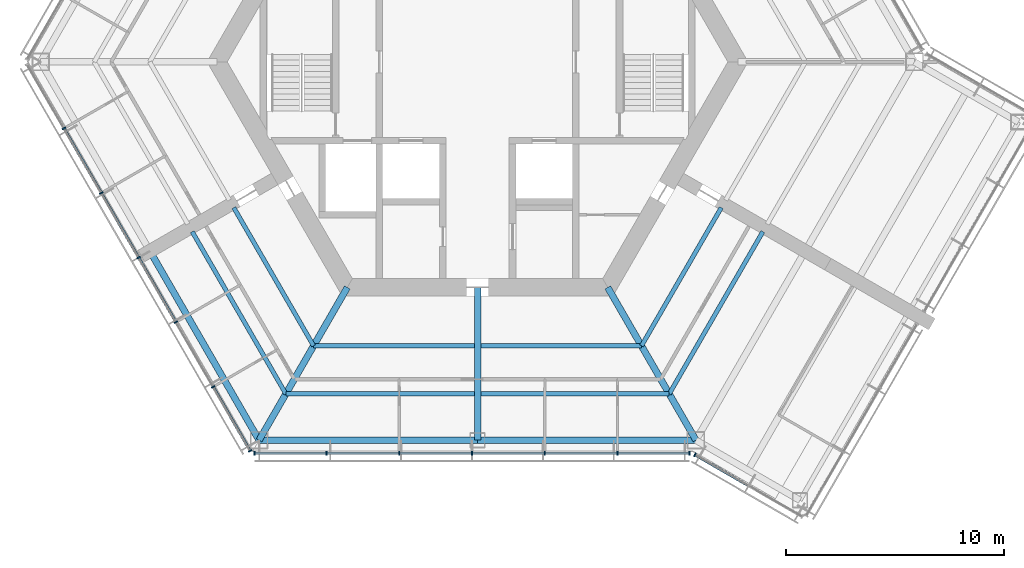
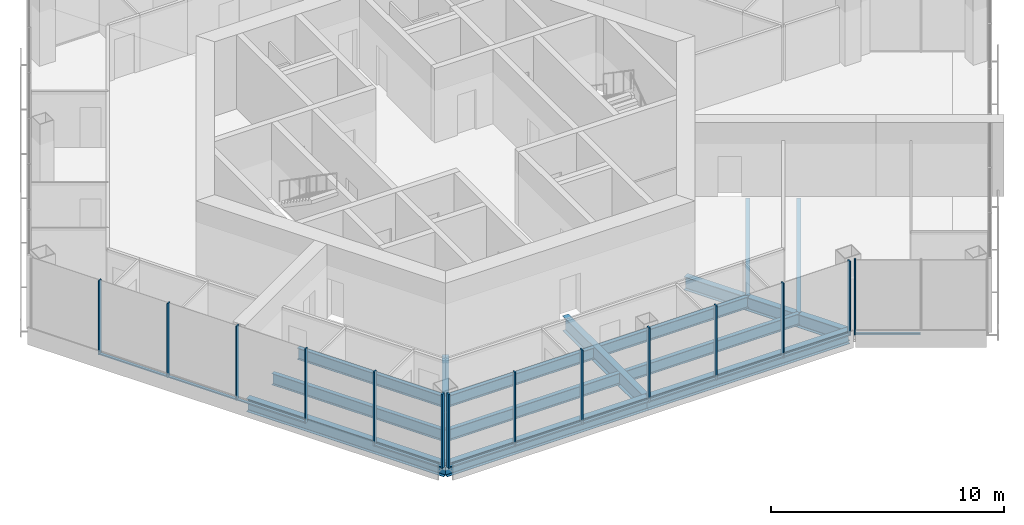
# One storey, part 2 of 13: 25 members, 14 beams, 3 elements without a shape of their own.
"""IFC4 building model written with IfcOpenShell, lengths in metres."""

from ifc_helpers import new_model, si_unit, direction, frame, origin, origin_2d, place, context, subcontext, project, spatial, rectangle, i_section, extrude, material, material_profile, profile_set, type_object, element, aggregate, save


model = new_model("IFC4")

# Units and contexts
model_context = context("Model", 3, precision=1e-05, world=origin(), true_north=direction((0.0, 1.0)))
body_context = subcontext(model_context, "Body", "Model", "MODEL_VIEW")
ifc_project = project(units=[si_unit("LENGTHUNIT", "METRE"), si_unit("AREAUNIT", "SQUARE_METRE"), si_unit("VOLUMEUNIT", "CUBIC_METRE"), si_unit("PLANEANGLEUNIT", "RADIAN"), si_unit("MASSUNIT", "GRAM", prefix="KILO")], contexts=[model_context])

# Site, building, storey
site_placement = place(None, origin())
site = spatial("IfcSite", under=ifc_project, at=site_placement, CompositionType="ELEMENT")
building_placement = place(site_placement, origin())
building = spatial("IfcBuilding", under=site, at=building_placement, Name="Kasaneha Research Tower", CompositionType="ELEMENT")
storey_placement = place(building_placement, frame((0.0, 0.0, 294.699951171875)))
storey = spatial("IfcBuildingStorey", under=building, at=storey_placement, Name="L74", CompositionType="ELEMENT", Elevation=294.699951171875)

# Beams
ifc_material_1 = material(Name="Steel SN490B", Category="steel")
ifc_material_profile_1 = material_profile(ifc_material_1, i_section(OverallWidth=0.199951171875, OverallDepth=0.60009765625, WebThickness=0.010986328125, FlangeThickness=0.01708984375, FilletRadius=0.012939453125, at=origin_2d()), Name="H-600x200x11x17")
ifc_profile_set_1 = profile_set([ifc_material_profile_1], Name="Steel SN490B")
beam_type_1 = type_object("IfcBeamType", Name="B1-3 secondary beam H-600x200x11x17", PredefinedType="JOIST", material=ifc_profile_set_1)
beam_1_placement = place(storey_placement, frame((-7.505615234375, -13.0, -0.449951171875), z_axis=(-0.499999192304, 0.866025870108, 0.0), x_axis=(-0.866025870108, -0.499999192304, 0.0)))
element("IfcBeam", 1, at=beam_1_placement, inside=storey, type_object=beam_type_1, Name="Secondary beam RS210R1 L74", PredefinedType="JOIST", context=body_context, shape_type="SweptSolid", body=[
    extrude(i_section(OverallWidth=0.199951171875, OverallDepth=0.60009765625, WebThickness=0.010986328125, FlangeThickness=0.01708984375, FilletRadius=0.012939453125, at=origin_2d()), origin(), (0.0, 0.0, 1.0), 7.3056640625),
])
beam_2_placement = place(storey_placement, frame((-8.775634765625, -15.199951171875, -0.449951171875), z_axis=(-0.500000102728, 0.866025344474, 0.0), x_axis=(-0.866025344474, -0.500000102728, 0.0)))
element("IfcBeam", 2, at=beam_2_placement, inside=storey, type_object=beam_type_1, Name="Secondary beam RS210R2 L74", PredefinedType="JOIST", context=body_context, shape_type="SweptSolid", body=[
    extrude(i_section(OverallWidth=0.199951171875, OverallDepth=0.60009765625, WebThickness=0.010986328125, FlangeThickness=0.01708984375, FilletRadius=0.012939453125, at=origin_2d()), origin(), (0.0, 0.0, 1.0), 8.57568359375),
])
beam_3_placement = place(storey_placement, frame((-7.505615234375, -13.0, -0.449951171875), z_axis=(1.0, 0.0, 0.0), x_axis=(0.0, 1.0, 0.0)))
element("IfcBeam", 3, at=beam_3_placement, inside=storey, type_object=beam_type_1, Name="Secondary beam RS270L1 L74", PredefinedType="JOIST", context=body_context, shape_type="SweptSolid", body=[
    extrude(i_section(OverallWidth=0.199951171875, OverallDepth=0.60009765625, WebThickness=0.010986328125, FlangeThickness=0.01708984375, FilletRadius=0.012939453125, at=origin_2d()), origin(), (0.0, 0.0, 1.0), 7.355712890625),
])
beam_4_placement = place(storey_placement, frame((-8.775634765625, -15.199951171875, -0.449951171875), z_axis=(1.0, 0.0, 0.0), x_axis=(0.0, 1.0, 0.0)))
element("IfcBeam", 4, at=beam_4_placement, inside=storey, type_object=beam_type_1, Name="Secondary beam RS270L2 L74", PredefinedType="JOIST", context=body_context, shape_type="SweptSolid", body=[
    extrude(i_section(OverallWidth=0.199951171875, OverallDepth=0.60009765625, WebThickness=0.010986328125, FlangeThickness=0.01708984375, FilletRadius=0.012939453125, at=origin_2d()), origin(), (0.0, 0.0, 1.0), 8.625732421875),
])
beam_5_placement = place(storey_placement, frame((7.505615234375, -13.0, -0.449951171875), z_axis=(-1.0, 0.0, 0.0), x_axis=(0.0, -1.0, 0.0)))
element("IfcBeam", 5, at=beam_5_placement, inside=storey, type_object=beam_type_1, Name="Secondary beam RS270R1 L74", PredefinedType="JOIST", context=body_context, shape_type="SweptSolid", body=[
    extrude(i_section(OverallWidth=0.199951171875, OverallDepth=0.60009765625, WebThickness=0.010986328125, FlangeThickness=0.01708984375, FilletRadius=0.012939453125, at=origin_2d()), origin(), (0.0, 0.0, 1.0), 7.355712890625),
])
beam_6_placement = place(storey_placement, frame((8.775634765625, -15.199951171875, -0.449951171875), z_axis=(-1.0, 0.0, 0.0), x_axis=(0.0, -1.0, 0.0)))
element("IfcBeam", 6, at=beam_6_placement, inside=storey, type_object=beam_type_1, Name="Secondary beam RS270R2 L74", PredefinedType="JOIST", context=body_context, shape_type="SweptSolid", body=[
    extrude(i_section(OverallWidth=0.199951171875, OverallDepth=0.60009765625, WebThickness=0.010986328125, FlangeThickness=0.01708984375, FilletRadius=0.012939453125, at=origin_2d()), origin(), (0.0, 0.0, 1.0), 8.625732421875),
])
beam_7_placement = place(storey_placement, frame((7.505615234375, -13.0, -0.449951171875), z_axis=(0.499999192304, 0.866025870108, 0.0), x_axis=(-0.866025870108, 0.499999192304, 0.0)))
element("IfcBeam", 7, at=beam_7_placement, inside=storey, type_object=beam_type_1, Name="Secondary beam RS330L1 L74", PredefinedType="JOIST", context=body_context, shape_type="SweptSolid", body=[
    extrude(i_section(OverallWidth=0.199951171875, OverallDepth=0.60009765625, WebThickness=0.010986328125, FlangeThickness=0.01708984375, FilletRadius=0.012939453125, at=origin_2d()), origin(), (0.0, 0.0, 1.0), 7.3056640625),
])
beam_8_placement = place(storey_placement, frame((8.775634765625, -15.199951171875, -0.449951171875), z_axis=(0.500000102728, 0.866025344474, 0.0), x_axis=(-0.866025344474, 0.500000102728, 0.0)))
element("IfcBeam", 8, at=beam_8_placement, inside=storey, type_object=beam_type_1, Name="Secondary beam RS330L2 L74", PredefinedType="JOIST", context=body_context, shape_type="SweptSolid", body=[
    extrude(i_section(OverallWidth=0.199951171875, OverallDepth=0.60009765625, WebThickness=0.010986328125, FlangeThickness=0.01708984375, FilletRadius=0.012939453125, at=origin_2d()), origin(), (0.0, 0.0, 1.0), 8.57568359375),
])

# Curtain wall, members
ifc_material_2 = material(Name="Glass and aluminium", Category="aluminium")
curtain_wall_type = type_object("IfcCurtainWallType", Name="Crown curtain wall", PredefinedType="USERDEFINED", material=ifc_material_2)
curtain_wall_1_placement = place(storey_placement, origin())
curtain_wall_1 = element("IfcCurtainWall", 9, at=curtain_wall_1_placement, inside=storey, type_object=curtain_wall_type, Name="CW-C L74 run 04a", ObjectType="UNITISED CURTAIN WALL", PredefinedType="USERDEFINED")
ifc_material_3 = material(Name="Aluminium 6063-T6", Category="aluminium")
ifc_material_profile_2 = material_profile(ifc_material_3, rectangle(XDim=0.06005859375, YDim=0.179931640625, at=origin_2d()), Name="CW-C mullion 60x180")
ifc_profile_set_2 = profile_set([ifc_material_profile_2], Name="Aluminium 6063-T6")
member_type_1 = type_object("IfcMemberType", Name="CW-C mullion", PredefinedType="MULLION", material=ifc_profile_set_2)
member_1_placement = place(storey_placement, frame((-18.93505859375, -3.04443359375, 0.0), z_axis=(0.0, 0.0, 1.0), x_axis=(0.499999995722, -0.866025406254, 0.0)))
member_1 = element("IfcMember", 10, at=member_1_placement, type_object=member_type_1, Name="CW-C mullion 2", PredefinedType="MULLION", context=body_context, shape_type="SweptSolid", body=[
    extrude(rectangle(XDim=0.06005859375, YDim=0.179931640625, at=origin_2d()), origin(), (0.0, 0.0, 1.0), 3.900146484375),
])
member_2_placement = place(storey_placement, frame((-17.227294921875, -6.00244140625, 0.0), z_axis=(0.0, 0.0, 1.0), x_axis=(0.499999995722, -0.866025406254, 0.0)))
member_2 = element("IfcMember", 11, at=member_2_placement, type_object=member_type_1, Name="CW-C mullion 3", PredefinedType="MULLION", context=body_context, shape_type="SweptSolid", body=[
    extrude(rectangle(XDim=0.06005859375, YDim=0.179931640625, at=origin_2d()), origin(), (0.0, 0.0, 1.0), 3.900146484375),
])
member_3_placement = place(storey_placement, frame((-15.51953125, -8.960205078125, 0.0), z_axis=(0.0, 0.0, 1.0), x_axis=(0.499999995722, -0.866025406254, 0.0)))
member_3 = element("IfcMember", 12, at=member_3_placement, type_object=member_type_1, Name="CW-C mullion 4", PredefinedType="MULLION", context=body_context, shape_type="SweptSolid", body=[
    extrude(rectangle(XDim=0.06005859375, YDim=0.179931640625, at=origin_2d()), origin(), (0.0, 0.0, 1.0), 3.900146484375),
])
member_4_placement = place(storey_placement, frame((-13.811767578125, -11.918212890625, 0.0), z_axis=(0.0, 0.0, 1.0), x_axis=(0.499999995722, -0.866025406254, 0.0)))
member_4 = element("IfcMember", 13, at=member_4_placement, type_object=member_type_1, Name="CW-C mullion 5", PredefinedType="MULLION", context=body_context, shape_type="SweptSolid", body=[
    extrude(rectangle(XDim=0.06005859375, YDim=0.179931640625, at=origin_2d()), origin(), (0.0, 0.0, 1.0), 3.900146484375),
])
member_5_placement = place(storey_placement, frame((-12.104248046875, -14.8759765625, 0.0), z_axis=(0.0, 0.0, 1.0), x_axis=(0.499999995722, -0.866025406254, 0.0)))
member_5 = element("IfcMember", 14, at=member_5_placement, type_object=member_type_1, Name="CW-C mullion 6", PredefinedType="MULLION", context=body_context, shape_type="SweptSolid", body=[
    extrude(rectangle(XDim=0.06005859375, YDim=0.179931640625, at=origin_2d()), origin(), (0.0, 0.0, 1.0), 3.900146484375),
])
member_6_placement = place(storey_placement, frame((-10.411376953125, -17.807861328125, 0.0), z_axis=(0.0, 0.0, 1.0), x_axis=(0.499999995722, -0.866025406254, 0.0)))
member_6 = element("IfcMember", 15, at=member_6_placement, type_object=member_type_1, Name="CW-C mullion 7", PredefinedType="MULLION", context=body_context, shape_type="SweptSolid", body=[
    extrude(rectangle(XDim=0.06005859375, YDim=0.179931640625, at=origin_2d()), origin(), (0.0, 0.0, 1.0), 3.900146484375),
])

curtain_wall_2_placement = place(storey_placement, origin())
curtain_wall_2 = element("IfcCurtainWall", 16, at=curtain_wall_2_placement, inside=storey, type_object=curtain_wall_type, Name="CW-C L74 run 05a", ObjectType="UNITISED CURTAIN WALL", PredefinedType="USERDEFINED")
member_7_placement = place(storey_placement, frame((-10.21630859375, -17.92041015625, 0.0), z_axis=(0.0, 0.0, 1.0), x_axis=(1.0, 0.0, 0.0)))
member_7 = element("IfcMember", 17, at=member_7_placement, type_object=member_type_1, Name="CW-C mullion 1", PredefinedType="MULLION", context=body_context, shape_type="SweptSolid", body=[
    extrude(rectangle(XDim=0.06005859375, YDim=0.179931640625, at=origin_2d()), origin(), (0.0, 0.0, 1.0), 3.900146484375),
])
member_8_placement = place(storey_placement, frame((-6.91552734375, -17.92041015625, 0.0), z_axis=(0.0, 0.0, 1.0), x_axis=(1.0, 0.0, 0.0)))
member_8 = element("IfcMember", 18, at=member_8_placement, type_object=member_type_1, Name="CW-C mullion 2", PredefinedType="MULLION", context=body_context, shape_type="SweptSolid", body=[
    extrude(rectangle(XDim=0.06005859375, YDim=0.179931640625, at=origin_2d()), origin(), (0.0, 0.0, 1.0), 3.900146484375),
])
member_9_placement = place(storey_placement, frame((-3.58447265625, -17.92041015625, 0.0), z_axis=(0.0, 0.0, 1.0), x_axis=(1.0, 0.0, 0.0)))
member_9 = element("IfcMember", 19, at=member_9_placement, type_object=member_type_1, Name="CW-C mullion 3", PredefinedType="MULLION", context=body_context, shape_type="SweptSolid", body=[
    extrude(rectangle(XDim=0.06005859375, YDim=0.179931640625, at=origin_2d()), origin(), (0.0, 0.0, 1.0), 3.900146484375),
])
member_10_placement = place(storey_placement, frame((-0.253662109375, -17.92041015625, 0.0), z_axis=(0.0, 0.0, 1.0), x_axis=(1.0, 0.0, 0.0)))
member_10 = element("IfcMember", 20, at=member_10_placement, type_object=member_type_1, Name="CW-C mullion 4", PredefinedType="MULLION", context=body_context, shape_type="SweptSolid", body=[
    extrude(rectangle(XDim=0.06005859375, YDim=0.179931640625, at=origin_2d()), origin(), (0.0, 0.0, 1.0), 3.900146484375),
])
member_11_placement = place(storey_placement, frame((3.077392578125, -17.92041015625, 0.0), z_axis=(0.0, 0.0, 1.0), x_axis=(1.0, 0.0, 0.0)))
member_11 = element("IfcMember", 21, at=member_11_placement, type_object=member_type_1, Name="CW-C mullion 5", PredefinedType="MULLION", context=body_context, shape_type="SweptSolid", body=[
    extrude(rectangle(XDim=0.06005859375, YDim=0.179931640625, at=origin_2d()), origin(), (0.0, 0.0, 1.0), 3.900146484375),
])
member_12_placement = place(storey_placement, frame((6.408203125, -17.92041015625, 0.0), z_axis=(0.0, 0.0, 1.0), x_axis=(1.0, 0.0, 0.0)))
member_12 = element("IfcMember", 22, at=member_12_placement, type_object=member_type_1, Name="CW-C mullion 6", PredefinedType="MULLION", context=body_context, shape_type="SweptSolid", body=[
    extrude(rectangle(XDim=0.06005859375, YDim=0.179931640625, at=origin_2d()), origin(), (0.0, 0.0, 1.0), 3.900146484375),
])
member_13_placement = place(storey_placement, frame((9.709228515625, -17.92041015625, 0.0), z_axis=(0.0, 0.0, 1.0), x_axis=(1.0, 0.0, 0.0)))
member_13 = element("IfcMember", 23, at=member_13_placement, type_object=member_type_1, Name="CW-C mullion 7", PredefinedType="MULLION", context=body_context, shape_type="SweptSolid", body=[
    extrude(rectangle(XDim=0.06005859375, YDim=0.179931640625, at=origin_2d()), origin(), (0.0, 0.0, 1.0), 3.900146484375),
])

# Curtain wall, member
curtain_wall_3_placement = place(storey_placement, origin())
curtain_wall_3 = element("IfcCurtainWall", 24, at=curtain_wall_3_placement, inside=storey, type_object=curtain_wall_type, Name="CW-C L74 run 06a", ObjectType="UNITISED CURTAIN WALL", PredefinedType="USERDEFINED")
member_14_placement = place(storey_placement, frame((9.951904296875, -17.985595703125, 0.0), z_axis=(0.0, 0.0, 1.0), x_axis=(0.866025443395, -0.499999931393, 0.0)))
member_14 = element("IfcMember", 25, at=member_14_placement, type_object=member_type_1, Name="CW-C mullion 1", PredefinedType="MULLION", context=body_context, shape_type="SweptSolid", body=[
    extrude(rectangle(XDim=0.06005859375, YDim=0.179931640625, at=origin_2d()), origin(), (0.0, 0.0, 1.0), 3.900146484375),
])

# Member
ifc_material_4 = material(Name="Aluminium 6063-T6", Category="aluminium")
ifc_material_profile_3 = material_profile(ifc_material_4, rectangle(XDim=0.1298828125, YDim=0.06005859375, at=origin_2d()), Name="CW-C transom 130x60")
ifc_profile_set_3 = profile_set([ifc_material_profile_3], Name="Aluminium 6063-T6")
member_type_2 = type_object("IfcMemberType", Name="CW-C transom", PredefinedType="USERDEFINED", material=ifc_profile_set_3)
member_15_placement = place(storey_placement, frame((-18.920166015625, -3.070556640625, 0.030029296875), z_axis=(0.500020578564, -0.866013522419, 0.0), x_axis=(0.866013522419, 0.500020578564, 0.0)))
member_15 = element("IfcMember", 26, at=member_15_placement, type_object=member_type_2, Name="CW-C transom 2", ObjectType="TRANSOM", PredefinedType="USERDEFINED", context=body_context, shape_type="SweptSolid", body=[
    extrude(rectangle(XDim=0.1298828125, YDim=0.06005859375, at=origin_2d()), origin(), (0.0, 0.0, 1.0), 3.355224609375),
])

member_16_placement = place(storey_placement, frame((-17.21240234375, -6.0283203125, 0.030029296875), z_axis=(0.499989072476, -0.866031712701, 0.0), x_axis=(0.866031712701, 0.499989072476, 0.0)))
member_16 = element("IfcMember", 27, at=member_16_placement, type_object=member_type_2, Name="CW-C transom 3", ObjectType="TRANSOM", PredefinedType="USERDEFINED", context=body_context, shape_type="SweptSolid", body=[
    extrude(rectangle(XDim=0.1298828125, YDim=0.06005859375, at=origin_2d()), origin(), (0.0, 0.0, 1.0), 3.35546875),
])

member_17_placement = place(storey_placement, frame((-15.504638671875, -8.986328125, 0.030029296875), z_axis=(0.500020578564, -0.866013522419, 0.0), x_axis=(0.866013522419, 0.500020578564, 0.0)))
member_17 = element("IfcMember", 28, at=member_17_placement, type_object=member_type_2, Name="CW-C transom 4", ObjectType="TRANSOM", PredefinedType="USERDEFINED", context=body_context, shape_type="SweptSolid", body=[
    extrude(rectangle(XDim=0.1298828125, YDim=0.06005859375, at=origin_2d()), origin(), (0.0, 0.0, 1.0), 3.355224609375),
])

member_18_placement = place(storey_placement, frame((-12.089111328125, -14.902099609375, 0.030029296875), z_axis=(0.49997666526, -0.866038875684, 0.0), x_axis=(0.866038875684, 0.49997666526, 0.0)))
member_18 = element("IfcMember", 29, at=member_18_placement, type_object=member_type_2, Name="CW-C transom 6", ObjectType="TRANSOM", PredefinedType="USERDEFINED", context=body_context, shape_type="SweptSolid", body=[
    extrude(rectangle(XDim=0.1298828125, YDim=0.06005859375, at=origin_2d()), origin(), (0.0, 0.0, 1.0), 3.325439453125),
])

aggregate(curtain_wall_1, [member_1, member_2, member_3, member_4, member_5, member_6, member_15, member_16, member_17, member_18])

member_19_placement = place(storey_placement, frame((-10.1865234375, -17.92041015625, 0.030029296875), z_axis=(1.0, 0.0, 0.0), x_axis=(0.0, 1.0, 0.0)))
member_19 = element("IfcMember", 30, at=member_19_placement, type_object=member_type_2, Name="CW-C transom 1", ObjectType="TRANSOM", PredefinedType="USERDEFINED", context=body_context, shape_type="SweptSolid", body=[
    extrude(rectangle(XDim=0.1298828125, YDim=0.06005859375, at=origin_2d()), origin(), (0.0, 0.0, 1.0), 3.240966796875),
])

member_20_placement = place(storey_placement, frame((-6.885498046875, -17.92041015625, 0.030029296875), z_axis=(1.0, 0.0, 0.0), x_axis=(0.0, 1.0, 0.0)))
member_20 = element("IfcMember", 31, at=member_20_placement, type_object=member_type_2, Name="CW-C transom 2", ObjectType="TRANSOM", PredefinedType="USERDEFINED", context=body_context, shape_type="SweptSolid", body=[
    extrude(rectangle(XDim=0.1298828125, YDim=0.06005859375, at=origin_2d()), origin(), (0.0, 0.0, 1.0), 3.27099609375),
])

member_21_placement = place(storey_placement, frame((-3.554443359375, -17.92041015625, 0.030029296875), z_axis=(1.0, 0.0, 0.0), x_axis=(0.0, 1.0, 0.0)))
member_21 = element("IfcMember", 32, at=member_21_placement, type_object=member_type_2, Name="CW-C transom 3", ObjectType="TRANSOM", PredefinedType="USERDEFINED", context=body_context, shape_type="SweptSolid", body=[
    extrude(rectangle(XDim=0.1298828125, YDim=0.06005859375, at=origin_2d()), origin(), (0.0, 0.0, 1.0), 3.270751953125),
])

member_22_placement = place(storey_placement, frame((-0.2236328125, -17.92041015625, 0.030029296875), z_axis=(1.0, 0.0, 0.0), x_axis=(0.0, 1.0, 0.0)))
member_22 = element("IfcMember", 33, at=member_22_placement, type_object=member_type_2, Name="CW-C transom 4", ObjectType="TRANSOM", PredefinedType="USERDEFINED", context=body_context, shape_type="SweptSolid", body=[
    extrude(rectangle(XDim=0.1298828125, YDim=0.06005859375, at=origin_2d()), origin(), (0.0, 0.0, 1.0), 3.27099609375),
])

member_23_placement = place(storey_placement, frame((3.107421875, -17.92041015625, 0.030029296875), z_axis=(1.0, 0.0, 0.0), x_axis=(0.0, 1.0, 0.0)))
member_23 = element("IfcMember", 34, at=member_23_placement, type_object=member_type_2, Name="CW-C transom 5", ObjectType="TRANSOM", PredefinedType="USERDEFINED", context=body_context, shape_type="SweptSolid", body=[
    extrude(rectangle(XDim=0.1298828125, YDim=0.06005859375, at=origin_2d()), origin(), (0.0, 0.0, 1.0), 3.270751953125),
])

member_24_placement = place(storey_placement, frame((6.438232421875, -17.92041015625, 0.030029296875), z_axis=(1.0, 0.0, 0.0), x_axis=(0.0, 1.0, 0.0)))
member_24 = element("IfcMember", 35, at=member_24_placement, type_object=member_type_2, Name="CW-C transom 6", ObjectType="TRANSOM", PredefinedType="USERDEFINED", context=body_context, shape_type="SweptSolid", body=[
    extrude(rectangle(XDim=0.1298828125, YDim=0.06005859375, at=origin_2d()), origin(), (0.0, 0.0, 1.0), 3.240966796875),
])

aggregate(curtain_wall_2, [member_7, member_8, member_9, member_10, member_11, member_12, member_13, member_19, member_20, member_21, member_22, member_23, member_24])

member_25_placement = place(storey_placement, frame((9.977783203125, -18.00048828125, 0.030029296875), z_axis=(0.866012991964, -0.500021497287, 0.0), x_axis=(0.500021497287, 0.866012991964, 0.0)))
member_25 = element("IfcMember", 36, at=member_25_placement, type_object=member_type_2, Name="CW-C transom 1", ObjectType="TRANSOM", PredefinedType="USERDEFINED", context=body_context, shape_type="SweptSolid", body=[
    extrude(rectangle(XDim=0.1298828125, YDim=0.06005859375, at=origin_2d()), origin(), (0.0, 0.0, 1.0), 2.77978515625),
])

aggregate(curtain_wall_3, [member_14, member_25])

# Beams
ifc_material_5 = material(Name="Steel SN490B", Category="steel")
ifc_material_profile_4 = material_profile(ifc_material_5, i_section(OverallWidth=0.300048828125, OverallDepth=0.699951171875, WebThickness=0.012939453125, FlangeThickness=0.02392578125, FilletRadius=0.01806640625, at=origin_2d()), Name="H-700x300x13x24")
ifc_profile_set_4 = profile_set([ifc_material_profile_4], Name="Steel SN490B")
beam_type_2 = type_object("IfcBeamType", Name="G1-3 radial girder H-700x300x13x24", PredefinedType="BEAM", material=ifc_profile_set_4)
for number, where, z_axis, x_axis, name in (
    (37, (-5.961181640625, -10.324951171875, -0.5), (-0.49999105496, -0.866030568144, 0.0), (0.866030568144, -0.49999105496, 0.0), "Radial girder RV240 L74"),
    (38, (5.961181640625, -10.324951171875, -0.5), (0.49999105496, -0.866030568144, 0.0), (0.866030568144, 0.49999105496, 0.0), "Radial girder RV300 L74"),
):
    element("IfcBeam", number, at=place(storey_placement, frame(where, z_axis=z_axis, x_axis=x_axis)), inside=storey, type_object=beam_type_2, Name=name, PredefinedType="BEAM", context=body_context, shape_type="SweptSolid", body=[
        extrude(i_section(OverallWidth=0.300048828125, OverallDepth=0.699951171875, WebThickness=0.012939453125, FlangeThickness=0.02392578125, FilletRadius=0.01806640625, at=origin_2d()), origin(), (0.0, 0.0, 1.0), 8.077880859375),
    ])
ifc_material_6 = material(Name="Steel SN490B", Category="steel")
ifc_material_profile_5 = material_profile(ifc_material_6, i_section(OverallWidth=0.300048828125, OverallDepth=0.800048828125, WebThickness=0.013916015625, FlangeThickness=0.02587890625, FilletRadius=0.01806640625, at=origin_2d()), Name="H-800x300x14x26")
ifc_profile_set_5 = profile_set([ifc_material_profile_5], Name="Steel SN490B")
beam_type_3 = type_object("IfcBeamType", Name="G2-3 radial girder H-800x300x14x26", PredefinedType="BEAM", material=ifc_profile_set_5)
beam_9_placement = place(storey_placement, frame((0.0, -10.324951171875, -0.550048828125), z_axis=(0.0, -1.0, 0.0), x_axis=(1.0, 0.0, 0.0)))
element("IfcBeam", 39, at=beam_9_placement, inside=storey, type_object=beam_type_3, Name="Radial girder RM270 L74", PredefinedType="BEAM", context=body_context, shape_type="SweptSolid", body=[
    extrude(i_section(OverallWidth=0.300048828125, OverallDepth=0.800048828125, WebThickness=0.013916015625, FlangeThickness=0.02587890625, FilletRadius=0.01806640625, at=origin_2d()), origin(), (0.0, 0.0, 1.0), 6.99560546875),
])
ifc_material_7 = material(Name="Steel SN490B", Category="steel")
ifc_material_profile_6 = material_profile(ifc_material_7, i_section(OverallWidth=0.300048828125, OverallDepth=0.69189453125, WebThickness=0.012939453125, FlangeThickness=0.02001953125, FilletRadius=0.01806640625, at=origin_2d()), Name="H-692x300x13x20")
ifc_profile_set_6 = profile_set([ifc_material_profile_6], Name="Steel SN490B")
beam_type_4 = type_object("IfcBeamType", Name="G3-3 plate edge girder H-692x300x13x20", PredefinedType="BEAM", material=ifc_profile_set_6)
beam_10_placement = place(storey_placement, frame((-10.0, -17.320556640625, -0.495849609375), z_axis=(-0.49999201416, 0.866030014362, 0.0), x_axis=(-0.866030014362, -0.49999201416, 0.0)))
element("IfcBeam", 40, at=beam_10_placement, inside=storey, type_object=beam_type_4, Name="Plate edge girder PEBN L74", PredefinedType="BEAM", context=body_context, shape_type="SweptSolid", body=[
    extrude(i_section(OverallWidth=0.300048828125, OverallDepth=0.69189453125, WebThickness=0.012939453125, FlangeThickness=0.02001953125, FilletRadius=0.01806640625, at=origin_2d()), origin(), (0.0, 0.0, 1.0), 9.800048828125),
])
ifc_material_8 = material(Name="Steel SN490B", Category="steel")
ifc_material_profile_7 = material_profile(ifc_material_8, i_section(OverallWidth=0.300048828125, OverallDepth=0.69189453125, WebThickness=0.012939453125, FlangeThickness=0.02001953125, FilletRadius=0.01806640625, at=origin_2d()), Name="H-692x300x13x20")
ifc_profile_set_7 = profile_set([ifc_material_profile_7], Name="Steel SN490B")
beam_type_5 = type_object("IfcBeamType", Name="SB1-3 spandrel beam H-692x300x13x20", PredefinedType="SPANDREL", material=ifc_profile_set_7)
for number, where, z_axis, x_axis, name in (
    (41, (-10.0, -17.320556640625, -0.495849609375), (1.0, 0.0, 0.0), (0.0, 1.0, 0.0), "Spandrel beam SR270L L74"),
    (42, (10.0, -17.320556640625, -0.495849609375), (-1.0, 0.0, 0.0), (0.0, -1.0, 0.0), "Spandrel beam SR270R L74"),
):
    element("IfcBeam", number, at=place(storey_placement, frame(where, z_axis=z_axis, x_axis=x_axis)), inside=storey, type_object=beam_type_5, Name=name, PredefinedType="SPANDREL", context=body_context, shape_type="SweptSolid", body=[
        extrude(i_section(OverallWidth=0.300048828125, OverallDepth=0.69189453125, WebThickness=0.012939453125, FlangeThickness=0.02001953125, FilletRadius=0.01806640625, at=origin_2d()), origin(), (0.0, 0.0, 1.0), 10.0),
    ])

save(model, "model.ifc")
